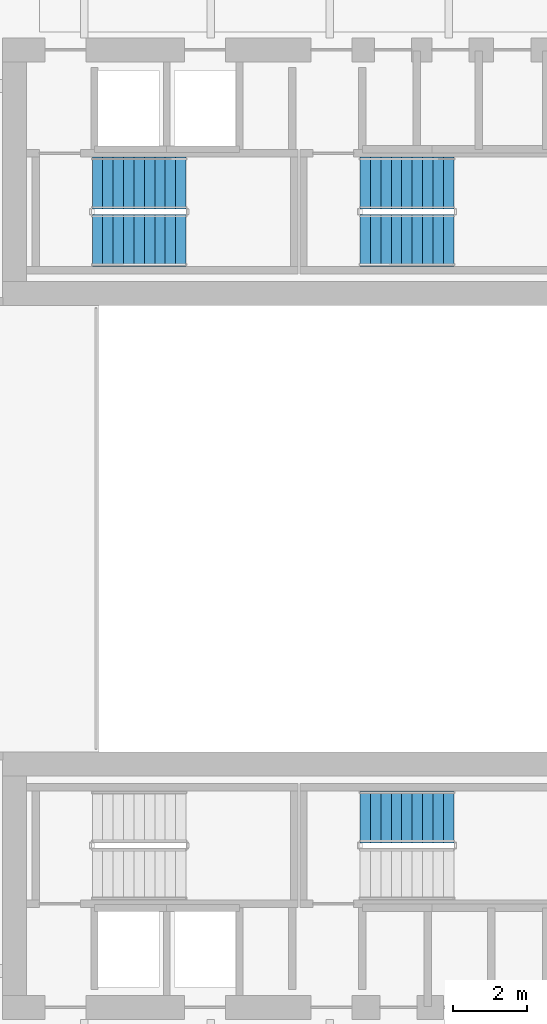
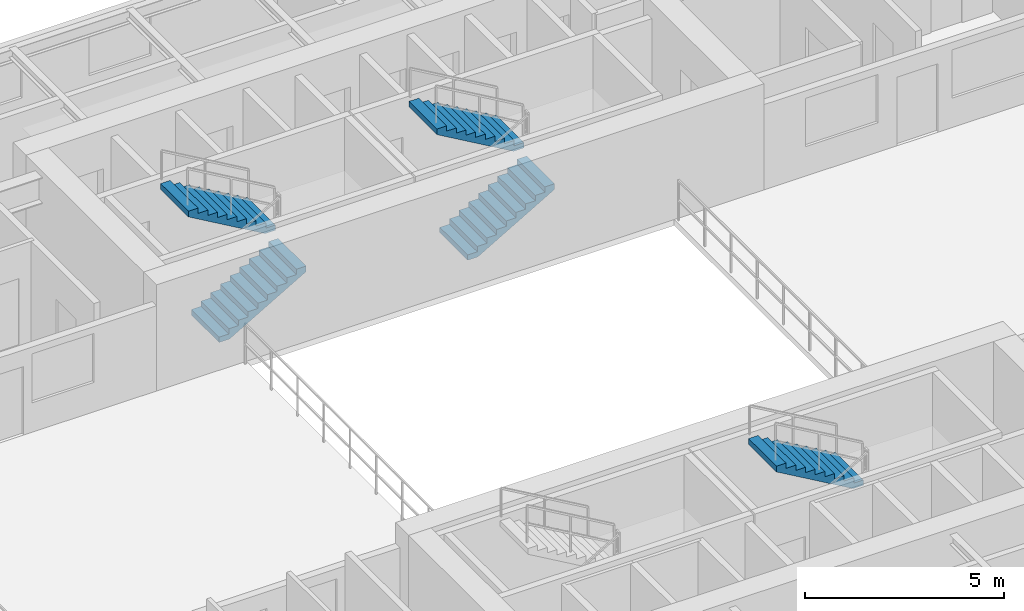
# One storey, part 11 of 14: 5 stair flights, 3 elements without a shape of their own.
"""IFC4 building model written with IfcOpenShell, lengths in metres."""

from ifc_helpers import new_model, si_unit, direction, frame, origin, place, context, subcontext, project, spatial, polyline, outline, extrude, source, transform, mapped, material, type_object, element, aggregate, save


model = new_model("IFC4")

# Units and contexts
model_context = context("Model", 3, precision=1e-05, world=origin(), true_north=direction((0.0, 1.0)))
body_context = subcontext(model_context, "Body", "Model", "MODEL_VIEW")
ifc_project = project(units=[si_unit("LENGTHUNIT", "METRE"), si_unit("AREAUNIT", "SQUARE_METRE"), si_unit("VOLUMEUNIT", "CUBIC_METRE"), si_unit("PLANEANGLEUNIT", "RADIAN"), si_unit("MASSUNIT", "GRAM", prefix="KILO"), si_unit("THERMODYNAMICTEMPERATUREUNIT", "KELVIN"), si_unit("POWERUNIT", "WATT")], contexts=[model_context])

# Site, building, storey
site_placement = place(None, origin())
site = spatial("IfcSite", under=ifc_project, at=site_placement, CompositionType="ELEMENT")
building_placement = place(site_placement, origin())
building = spatial("IfcBuilding", under=site, at=building_placement, Name="Qiaomeng Ring Towers", CompositionType="ELEMENT")
storey_placement = place(building_placement, frame((0.0, 0.0, 153.5)))
storey = spatial("IfcBuildingStorey", under=building, at=storey_placement, Name="L44", CompositionType="ELEMENT", Elevation=153.5)

# Stair, stair flights
ifc_material = material(Name="Precast concrete C40", Category="concrete")
stair_type = type_object("IfcStairType", Name="ARC-ST-325", PredefinedType="HALF_TURN_STAIR", material=ifc_material)
stair_1_placement = place(storey_placement, origin())
stair_1 = element("IfcStair", 1, at=stair_1_placement, inside=storey, type_object=stair_type, Name="L44 Tower 1 North Stair 1", PredefinedType="HALF_TURN_STAIR")
stair_flight_type = type_object("IfcStairFlightType", Name="ARC-ST-325-FL", PredefinedType="STRAIGHT", material=ifc_material)
shared_shape = source(origin(), body_context, "Body", "SweptSolid", [
    extrude(outline(polyline([(0.0, 0.0), (0.0, 0.16259765625), (0.280029296875, 0.16259765625), (0.280029296875, 0.324951171875), (0.56005859375, 0.324951171875), (0.56005859375, 0.487548828125), (0.840087890625, 0.487548828125), (0.840087890625, 0.64990234375), (1.1201171875, 0.64990234375), (1.1201171875, 0.8125), (1.39990234375, 0.8125), (1.39990234375, 0.97509765625), (1.679931640625, 0.97509765625), (1.679931640625, 1.137451171875), (1.9599609375, 1.137451171875), (1.9599609375, 1.300048828125), (2.239990234375, 1.300048828125), (2.239990234375, 1.46240234375), (2.52001953125, 1.46240234375), (2.52001953125, 1.625), (2.52001953125, 1.2890625), (0.298583984375, 0.0), (0.0, 0.0)])), frame((0.0, 0.699951171875, 0.0), z_axis=(0.0, -1.0, 0.0), x_axis=(1.0, 0.0, 0.0)), (0.0, 0.0, 1.0), 1.39990234375),
])
stair_flight_1_placement = place(storey_placement, frame((12.6201171875, 30.75, 0.0), z_axis=(0.0, 0.0, 1.0), x_axis=(1.0, 0.0, 0.0)))
stair_flight_1 = element("IfcStairFlight", 2, at=stair_flight_1_placement, type_object=stair_flight_type, Name="ST1 flight 1", NumberOfRisers=10, NumberOfTreads=9, PredefinedType="STRAIGHT", RiserHeight=0.1625, TreadLength=0.28, context=body_context, shape_type="MappedRepresentation", body=[
    mapped(shared_shape, transform((0.0, 0.0, 0.0), x_axis=(1.0, 0.0, 0.0), y_axis=(0.0, 1.0, 0.0), z_axis=(0.0, 0.0, 1.0), scale=1.0)),
])
stair_flight_2_placement = place(storey_placement, frame((15.139892578125, 32.2900390625, 1.625), z_axis=(0.0, 0.0, 1.0), x_axis=(-1.0, 0.0, 0.0)))
stair_flight_2 = element("IfcStairFlight", 3, at=stair_flight_2_placement, type_object=stair_flight_type, Name="ST1 flight 2", NumberOfRisers=10, NumberOfTreads=9, PredefinedType="STRAIGHT", RiserHeight=0.1625, TreadLength=0.28, context=body_context, shape_type="MappedRepresentation", body=[
    mapped(shared_shape, transform((0.0, 0.0, 0.0), x_axis=(1.0, 0.0, 0.0), y_axis=(0.0, 1.0, 0.0), z_axis=(0.0, 0.0, 1.0), scale=1.0)),
])
aggregate(stair_1, [stair_flight_1, stair_flight_2])

stair_2_placement = place(storey_placement, origin())
stair_2 = element("IfcStair", 4, at=stair_2_placement, inside=storey, type_object=stair_type, Name="L44 Tower 1 North Stair 2", PredefinedType="HALF_TURN_STAIR")
stair_flight_3_placement = place(storey_placement, frame((19.820068359375, 30.75, 0.0), z_axis=(0.0, 0.0, 1.0), x_axis=(1.0, 0.0, 0.0)))
stair_flight_3 = element("IfcStairFlight", 5, at=stair_flight_3_placement, type_object=stair_flight_type, Name="ST2 flight 1", NumberOfRisers=10, NumberOfTreads=9, PredefinedType="STRAIGHT", RiserHeight=0.1625, TreadLength=0.28, context=body_context, shape_type="MappedRepresentation", body=[
    mapped(shared_shape, transform((0.0, 0.0, 0.0), x_axis=(1.0, 0.0, 0.0), y_axis=(0.0, 1.0, 0.0), z_axis=(0.0, 0.0, 1.0), scale=1.0)),
])
stair_flight_4_placement = place(storey_placement, frame((22.340087890625, 32.2900390625, 1.625), z_axis=(0.0, 0.0, 1.0), x_axis=(-1.0, 0.0, 0.0)))
stair_flight_4 = element("IfcStairFlight", 6, at=stair_flight_4_placement, type_object=stair_flight_type, Name="ST2 flight 2", NumberOfRisers=10, NumberOfTreads=9, PredefinedType="STRAIGHT", RiserHeight=0.1625, TreadLength=0.28, context=body_context, shape_type="MappedRepresentation", body=[
    mapped(shared_shape, transform((0.0, 0.0, 0.0), x_axis=(1.0, 0.0, 0.0), y_axis=(0.0, 1.0, 0.0), z_axis=(0.0, 0.0, 1.0), scale=1.0)),
])
aggregate(stair_2, [stair_flight_3, stair_flight_4])

# Stair, stair flight
stair_3_placement = place(storey_placement, origin())
stair_3 = element("IfcStair", 7, at=stair_3_placement, inside=storey, type_object=stair_type, Name="L44 Tower 1 South Stair 4", PredefinedType="HALF_TURN_STAIR")
stair_flight_5_placement = place(storey_placement, frame((22.340087890625, 15.25, 1.625), z_axis=(0.0, 0.0, 1.0), x_axis=(-1.0, 0.0, 0.0)))
stair_flight_5 = element("IfcStairFlight", 8, at=stair_flight_5_placement, type_object=stair_flight_type, Name="ST4 flight 2", NumberOfRisers=10, NumberOfTreads=9, PredefinedType="STRAIGHT", RiserHeight=0.1625, TreadLength=0.28, context=body_context, shape_type="MappedRepresentation", body=[
    mapped(shared_shape, transform((0.0, 0.0, 0.0), x_axis=(1.0, 0.0, 0.0), y_axis=(0.0, 1.0, 0.0), z_axis=(0.0, 0.0, 1.0), scale=1.0)),
])
aggregate(stair_3, [stair_flight_5])

save(model, "model.ifc")
